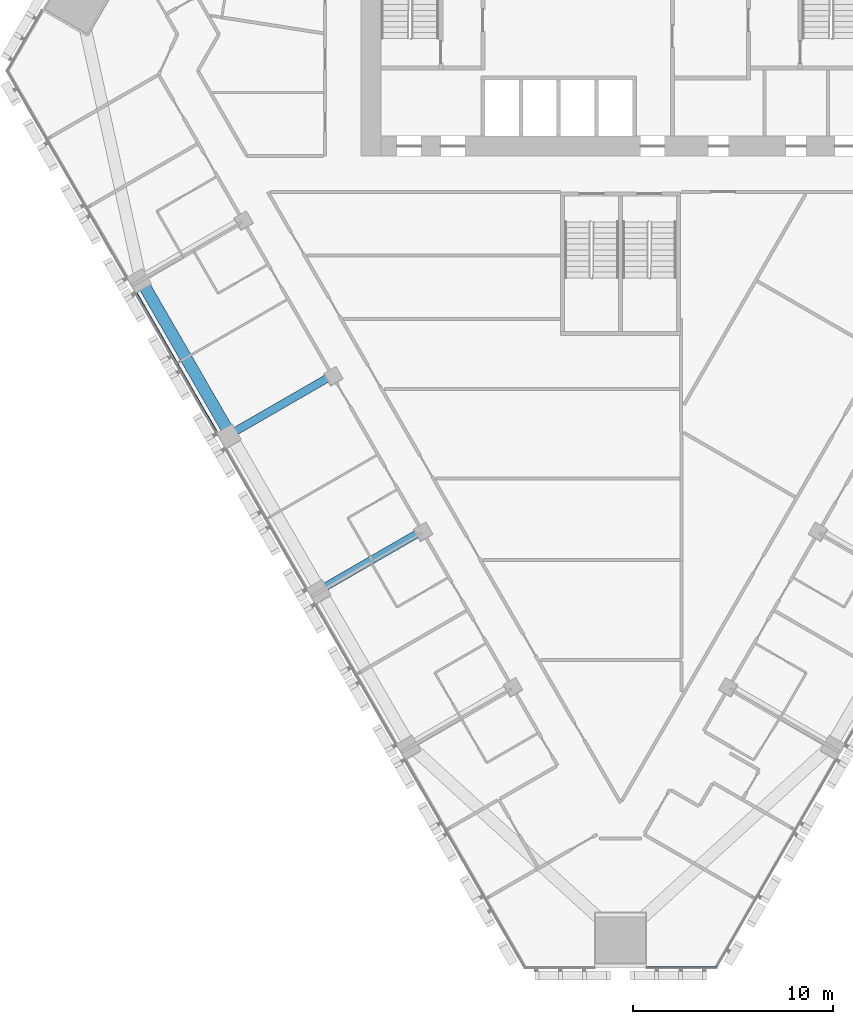
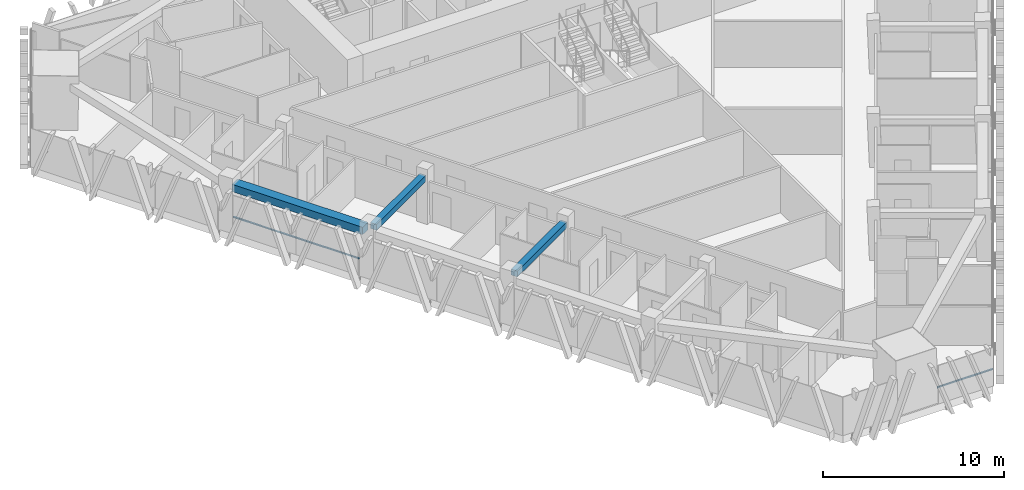
# One storey, part 3 of 18: 3 beams, 2 members, 2 elements without a shape of their own.
"""IFC4 building model written with IfcOpenShell, lengths in metres."""

from ifc_helpers import new_model, si_unit, direction, frame, origin, origin_2d, place, context, subcontext, project, spatial, rectangle, extrude, material, layer, layer_set, material_profile, profile_set, type_object, element, aggregate, save


model = new_model("IFC4")

# Units and contexts
model_context = context("Model", 3, precision=1e-05, world=origin(), true_north=direction((0.0, 1.0)))
body_context = subcontext(model_context, "Body", "Model", "MODEL_VIEW")
ifc_project = project(units=[si_unit("LENGTHUNIT", "METRE"), si_unit("AREAUNIT", "SQUARE_METRE"), si_unit("VOLUMEUNIT", "CUBIC_METRE"), si_unit("PLANEANGLEUNIT", "RADIAN"), si_unit("MASSUNIT", "GRAM", prefix="KILO")], contexts=[model_context])

# Site, building, storey
site_placement = place(None, origin())
site = spatial("IfcSite", under=ifc_project, at=site_placement, CompositionType="ELEMENT")
building_placement = place(site_placement, origin())
building = spatial("IfcBuilding", under=site, at=building_placement, Name="Altiplano Prism Tower", CompositionType="ELEMENT")
storey_placement = place(building_placement, frame((0.0, 0.0, 45.0)))
storey = spatial("IfcBuildingStorey", under=building, at=storey_placement, Name="L10", CompositionType="ELEMENT", Elevation=45.0)

# Curtain wall, member
ifc_material_1 = material(Name="Aluminium and glass", Category="aluminium")
ifc_layer = layer(ifc_material_1, 0.280029296875)
ifc_layer_set = layer_set([ifc_layer], Name="Aluminium and glass")
curtain_wall_type = type_object("IfcCurtainWallType", Name="CW1 typical co-living unitised curtain wall", PredefinedType="NOTDEFINED", material=ifc_layer_set)
curtain_wall_1_placement = place(storey_placement, origin())
curtain_wall_1 = element("IfcCurtainWall", 1, at=curtain_wall_1_placement, inside=storey, type_object=curtain_wall_type, Name="CW1 curtain wall south-west face L10", PredefinedType="NOTDEFINED")
ifc_material_2 = material(Name="Aluminium", Category="aluminium")
ifc_material_profile_1 = material_profile(ifc_material_2, rectangle(XDim=0.06005859375, YDim=0.080078125, at=origin_2d()), Name="CW1 transom 80 x 60")
ifc_profile_set_1 = profile_set([ifc_material_profile_1], Name="Aluminium")
member_type = type_object("IfcMemberType", Name="CW1 transom 80 x 60", PredefinedType="USERDEFINED", material=ifc_profile_set_1)
member_1_placement = place(storey_placement, frame((60.749267578125, 85.52880859375, 1.10009765625), z_axis=(0.500012318566, -0.86601829154, 0.0), x_axis=(0.86601829154, 0.500012318566, 0.0)))
member_1 = element("IfcMember", 2, at=member_1_placement, type_object=member_type, Name="CW1 transom", ObjectType="TRANSOM", PredefinedType="USERDEFINED", context=body_context, shape_type="SweptSolid", body=[
    extrude(rectangle(XDim=0.06005859375, YDim=0.080078125, at=origin_2d()), origin(), (0.0, 0.0, 1.0), 8.019775390625),
])
aggregate(curtain_wall_1, [member_1])

curtain_wall_2_placement = place(storey_placement, origin())
curtain_wall_2 = element("IfcCurtainWall", 3, at=curtain_wall_2_placement, inside=storey, type_object=curtain_wall_type, Name="CW1 curtain wall south chamfer L10", PredefinedType="NOTDEFINED")
member_2_placement = place(storey_placement, frame((86.300048828125, 51.782470703125, 1.10009765625), z_axis=(1.0, 0.0, 0.0), x_axis=(0.0, 1.0, 0.0)))
member_2 = element("IfcMember", 4, at=member_2_placement, type_object=member_type, Name="CW1 transom", ObjectType="TRANSOM", PredefinedType="USERDEFINED", context=body_context, shape_type="SweptSolid", body=[
    extrude(rectangle(XDim=0.06005859375, YDim=0.080078125, at=origin_2d()), origin(), (0.0, 0.0, 1.0), 3.507568359375),
])
aggregate(curtain_wall_2, [member_2])

# Beams
ifc_material_3 = material(Name="Concrete C60/75", Category="concrete")
ifc_material_profile_2 = material_profile(ifc_material_3, rectangle(XDim=0.60009765625, YDim=0.5, at=origin_2d()), Name="Edge beam 600x500")
ifc_profile_set_2 = profile_set([ifc_material_profile_2], Name="Concrete C60/75")
beam_type_1 = type_object("IfcBeamType", Name="Edge beam 600x500", PredefinedType="SPANDREL", material=ifc_profile_set_2)
beam_placement = place(storey_placement, frame((61.09814453125, 85.9619140625, 2.85009765625), z_axis=(0.499992746786, -0.866029591389, 0.0), x_axis=(0.866029591389, 0.499992746786, 0.0)))
element("IfcBeam", 5, at=beam_placement, inside=storey, type_object=beam_type_1, Name="Edge beam P11-P12 L11", PredefinedType="SPANDREL", context=body_context, shape_type="SweptSolid", body=[
    extrude(rectangle(XDim=0.60009765625, YDim=0.5, at=origin_2d()), origin(), (0.0, 0.0, 1.0), 8.33984375),
])
ifc_material_profile_3 = material_profile(ifc_material_3, rectangle(XDim=0.39990234375, YDim=0.39990234375, at=origin_2d()), Name="Tie beam 400x400")
ifc_profile_set_3 = profile_set([ifc_material_profile_3], Name="Concrete C60/75")
beam_type_2 = type_object("IfcBeamType", Name="Tie beam 400x400", PredefinedType="BEAM", material=ifc_profile_set_3)
for number, where, z_axis, x_axis, name in (
    (6, (70.473388671875, 81.36328125, 2.89990234375), (-0.866031549307, -0.499989355492, 0.0), (0.499989355492, -0.866031549307, 0.0), "Tie beam I12 L11"),
    (7, (74.973388671875, 73.569091796875, 2.89990234375), (-0.866031549307, -0.499989355492, 0.0), (0.499989355492, -0.866031549307, 0.0), "Tie beam I13 L11"),
):
    element("IfcBeam", number, at=place(storey_placement, frame(where, z_axis=z_axis, x_axis=x_axis)), inside=storey, type_object=beam_type_2, Name=name, PredefinedType="BEAM", context=body_context, shape_type="SweptSolid", body=[
        extrude(rectangle(XDim=0.39990234375, YDim=0.39990234375, at=origin_2d()), origin(), (0.0, 0.0, 1.0), 5.48974609375),
    ])

save(model, "model.ifc")
